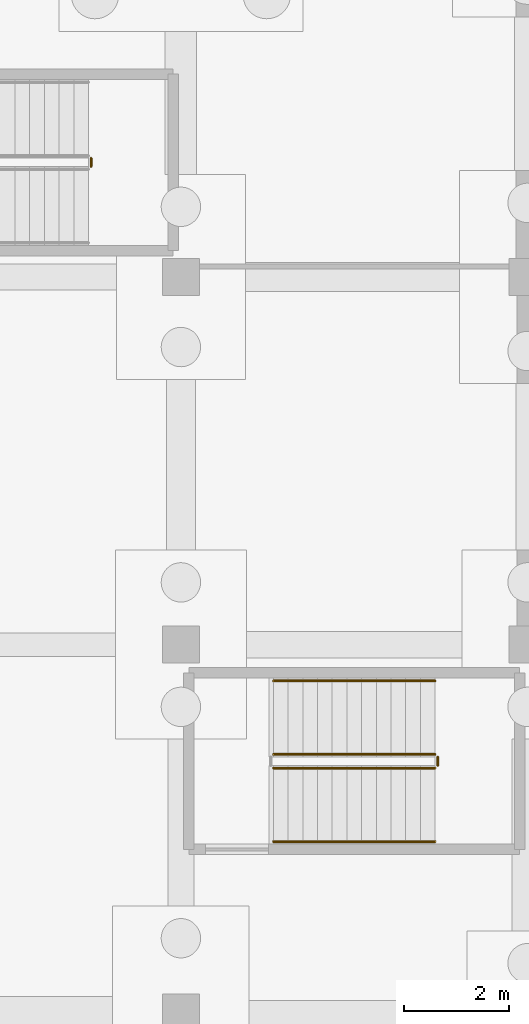
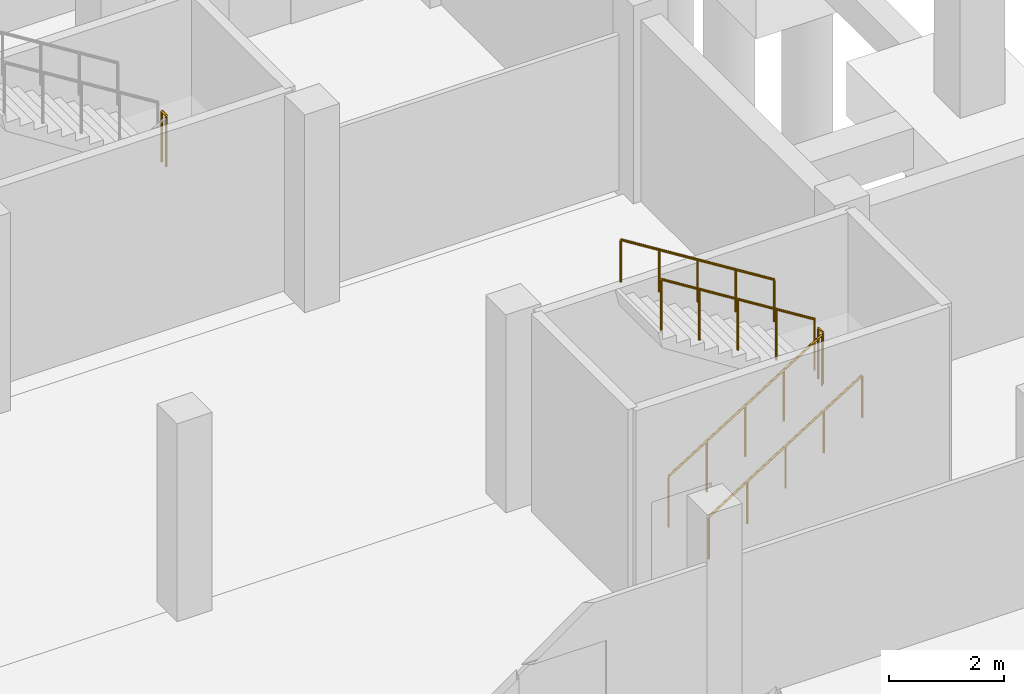
# One storey, part 25 of 27: 6 railings.
"""IFC4 building model written with IfcOpenShell, lengths in metres."""

from ifc_helpers import new_model, si_unit, direction, frame, origin, origin_2d, place, context, subcontext, project, spatial, circle, extrude, material, type_object, element, save


model = new_model("IFC4")

# Units and contexts
model_context = context("Model", 3, precision=1e-05, world=origin(), true_north=direction((0.0, 1.0)))
body_context = subcontext(model_context, "Body", "Model", "MODEL_VIEW")
ifc_project = project(units=[si_unit("LENGTHUNIT", "METRE"), si_unit("AREAUNIT", "SQUARE_METRE"), si_unit("VOLUMEUNIT", "CUBIC_METRE"), si_unit("PLANEANGLEUNIT", "RADIAN"), si_unit("MASSUNIT", "GRAM", prefix="KILO")], contexts=[model_context])

# Site, building, storey
site_placement = place(None, origin())
site = spatial("IfcSite", under=ifc_project, at=site_placement, CompositionType="ELEMENT")
building_placement = place(site_placement, origin())
building = spatial("IfcBuilding", under=site, at=building_placement, Name="Ciguamira Faculty of Natural Sciences", CompositionType="ELEMENT")
storey_placement = place(building_placement, frame((0.0, 0.0, -4.199951171875)))
storey = spatial("IfcBuildingStorey", under=building, at=storey_placement, Name="B1", CompositionType="ELEMENT", Elevation=-4.199951171875)

# Railings
ifc_material_1 = material(Name="Stainless steel balustrade", Category="steel")
railing_type_1 = type_object("IfcRailingType", Name="Guardrail_GR01", PredefinedType="GUARDRAIL", material=ifc_material_1)
railing_1_placement = place(storey_placement, frame((101.7900390625, 96.10009765625, 2.099853515625)))
element("IfcRailing", 1, at=railing_1_placement, inside=storey, type_object=railing_type_1, Name="B1 ST-T2 stair guard 2", PredefinedType="GUARDRAIL", context=body_context, shape_type="SweptSolid", body=[
    extrude(circle(Radius=0.02392578125, at=origin_2d()), frame((0.0, 0.0, 1.076171875), z_axis=(0.0, 1.0, 0.0), x_axis=(-1.0, 0.0, 0.0)), (0.0, 0.0, 1.0), 0.159912109375),
    extrude(circle(Radius=0.02099609375, at=origin_2d()), origin(), (0.0, 0.0, 1.0), 1.052001953125),
    extrude(circle(Radius=0.02099609375, at=origin_2d()), frame((0.0, 0.159912109375, 0.0)), (0.0, 0.0, 1.0), 1.052001953125),
])
railing_2_placement = place(storey_placement, frame((105.260009765625, 84.64990234375, 0.175048828125)))
element("IfcRailing", 2, at=railing_2_placement, inside=storey, type_object=railing_type_1, Name="B1 ST-W2 stair guard 1", PredefinedType="GUARDRAIL", context=body_context, shape_type="SweptSolid", body=[
    extrude(circle(Radius=0.02392578125, at=origin_2d()), frame((0.0, 0.0, 1.076171875), z_axis=(0.848028513186, 0.0, 0.529950602248), x_axis=(0.0, 1.0, 0.0)), (0.0, 0.0, 1.0), 3.632080078125),
    extrude(circle(Radius=0.02099609375, at=origin_2d()), origin(), (0.0, 0.0, 1.0), 1.052001953125),
    extrude(circle(Radius=0.02099609375, at=origin_2d()), frame((0.77001953125, 0.0, 0.481201171875)), (0.0, 0.0, 1.0), 1.052001953125),
    extrude(circle(Radius=0.02099609375, at=origin_2d()), frame((1.5400390625, 0.0, 0.96240234375)), (0.0, 0.0, 1.0), 1.052001953125),
    extrude(circle(Radius=0.02099609375, at=origin_2d()), frame((2.31005859375, 0.0, 1.443603515625)), (0.0, 0.0, 1.0), 1.052001953125),
    extrude(circle(Radius=0.02099609375, at=origin_2d()), frame((3.080078125, 0.0, 1.9248046875)), (0.0, 0.0, 1.0), 1.052001953125),
])
railing_3_placement = place(storey_placement, frame((108.389892578125, 84.699951171875, 2.099853515625)))
element("IfcRailing", 3, at=railing_3_placement, inside=storey, type_object=railing_type_1, Name="B1 ST-W2 stair guard 2", PredefinedType="GUARDRAIL", context=body_context, shape_type="SweptSolid", body=[
    extrude(circle(Radius=0.02392578125, at=origin_2d()), frame((0.0, 0.0, 1.076171875), z_axis=(0.0, 1.0, 0.0), x_axis=(-1.0, 0.0, 0.0)), (0.0, 0.0, 1.0), 0.16015625),
    extrude(circle(Radius=0.02099609375, at=origin_2d()), origin(), (0.0, 0.0, 1.0), 1.052001953125),
    extrude(circle(Radius=0.02099609375, at=origin_2d()), frame((0.0, 0.16015625, 0.0)), (0.0, 0.0, 1.0), 1.052001953125),
])
railing_4_placement = place(storey_placement, frame((108.340087890625, 84.909912109375, 2.27490234375)))
element("IfcRailing", 4, at=railing_4_placement, inside=storey, type_object=railing_type_1, Name="B1 ST-W2 stair guard 3", PredefinedType="GUARDRAIL", context=body_context, shape_type="SweptSolid", body=[
    extrude(circle(Radius=0.02392578125, at=origin_2d()), frame((0.0, 0.0, 1.076171875), z_axis=(-0.847998304005, 0.0, 0.529998940003), x_axis=(0.0, -1.0, 0.0)), (0.0, 0.0, 1.0), 3.632080078125),
    extrude(circle(Radius=0.02099609375, at=origin_2d()), origin(), (0.0, 0.0, 1.0), 1.052001953125),
    extrude(circle(Radius=0.02099609375, at=origin_2d()), frame((-0.77001953125, 0.0, 0.481201171875)), (0.0, 0.0, 1.0), 1.052001953125),
    extrude(circle(Radius=0.02099609375, at=origin_2d()), frame((-1.5400390625, 0.0, 0.96240234375)), (0.0, 0.0, 1.0), 1.052001953125),
    extrude(circle(Radius=0.02099609375, at=origin_2d()), frame((-2.31005859375, 0.0, 1.44384765625)), (0.0, 0.0, 1.0), 1.052001953125),
    extrude(circle(Radius=0.02099609375, at=origin_2d()), frame((-3.080078125, 0.0, 1.925048828125)), (0.0, 0.0, 1.0), 1.052001953125),
])
ifc_material_2 = material(Name="Stainless steel handrail", Category="steel")
railing_type_2 = type_object("IfcRailingType", Name="Handrail_HR01", PredefinedType="HANDRAIL", material=ifc_material_2)
railing_5_placement = place(storey_placement, frame((105.260009765625, 83.25, 0.349853515625)))
element("IfcRailing", 5, at=railing_5_placement, inside=storey, type_object=railing_type_2, Name="B1 ST-W2 stair handrail 1", PredefinedType="HANDRAIL", context=body_context, shape_type="SweptSolid", body=[
    extrude(circle(Radius=0.02392578125, at=origin_2d()), frame((0.0, 0.0, 0.89111328125), z_axis=(0.847998304005, 0.0, 0.529998940003), x_axis=(0.0, 1.0, 0.0)), (0.0, 0.0, 1.0), 3.632080078125),
    extrude(circle(Radius=0.02099609375, at=origin_2d()), origin(), (0.0, 0.0, 1.0), 0.866943359375),
    extrude(circle(Radius=0.02099609375, at=origin_2d()), frame((0.77001953125, 0.0, 0.481201171875)), (0.0, 0.0, 1.0), 0.866943359375),
    extrude(circle(Radius=0.02099609375, at=origin_2d()), frame((1.5400390625, 0.0, 0.96240234375)), (0.0, 0.0, 1.0), 0.866943359375),
    extrude(circle(Radius=0.02099609375, at=origin_2d()), frame((2.31005859375, 0.0, 1.44384765625)), (0.0, 0.0, 1.0), 0.866943359375),
    extrude(circle(Radius=0.02099609375, at=origin_2d()), frame((3.080078125, 0.0, 1.925048828125)), (0.0, 0.0, 1.0), 0.866943359375),
])
railing_6_placement = place(storey_placement, frame((108.340087890625, 86.31005859375, 2.449951171875)))
element("IfcRailing", 6, at=railing_6_placement, inside=storey, type_object=railing_type_2, Name="B1 ST-W2 stair handrail 2", PredefinedType="HANDRAIL", context=body_context, shape_type="SweptSolid", body=[
    extrude(circle(Radius=0.02392578125, at=origin_2d()), frame((0.0, 0.0, 0.89111328125), z_axis=(-0.847998304005, 0.0, 0.529998940003), x_axis=(0.0, -1.0, 0.0)), (0.0, 0.0, 1.0), 3.632080078125),
    extrude(circle(Radius=0.02099609375, at=origin_2d()), origin(), (0.0, 0.0, 1.0), 0.866943359375),
    extrude(circle(Radius=0.02099609375, at=origin_2d()), frame((-0.77001953125, 0.0, 0.481201171875)), (0.0, 0.0, 1.0), 0.866943359375),
    extrude(circle(Radius=0.02099609375, at=origin_2d()), frame((-1.5400390625, 0.0, 0.96240234375)), (0.0, 0.0, 1.0), 0.866943359375),
    extrude(circle(Radius=0.02099609375, at=origin_2d()), frame((-2.31005859375, 0.0, 1.44384765625)), (0.0, 0.0, 1.0), 0.866943359375),
    extrude(circle(Radius=0.02099609375, at=origin_2d()), frame((-3.080078125, 0.0, 1.925048828125)), (0.0, 0.0, 1.0), 0.866943359375),
])

save(model, "model.ifc")
